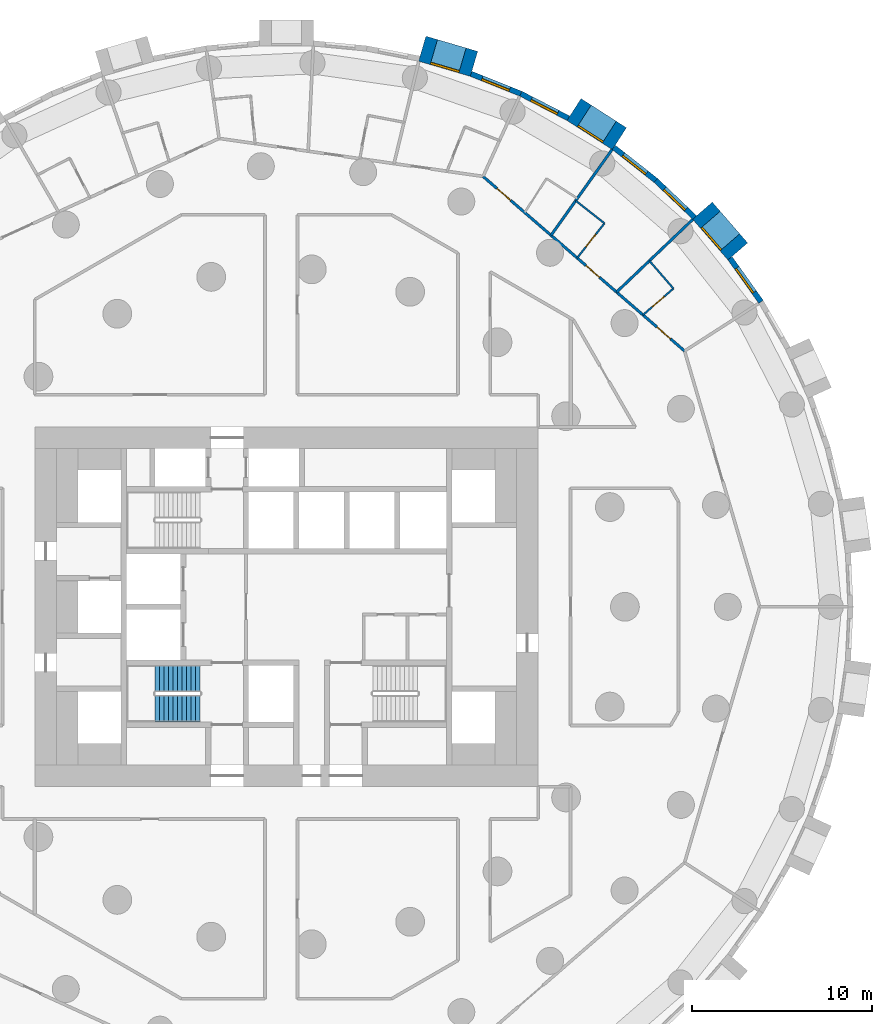
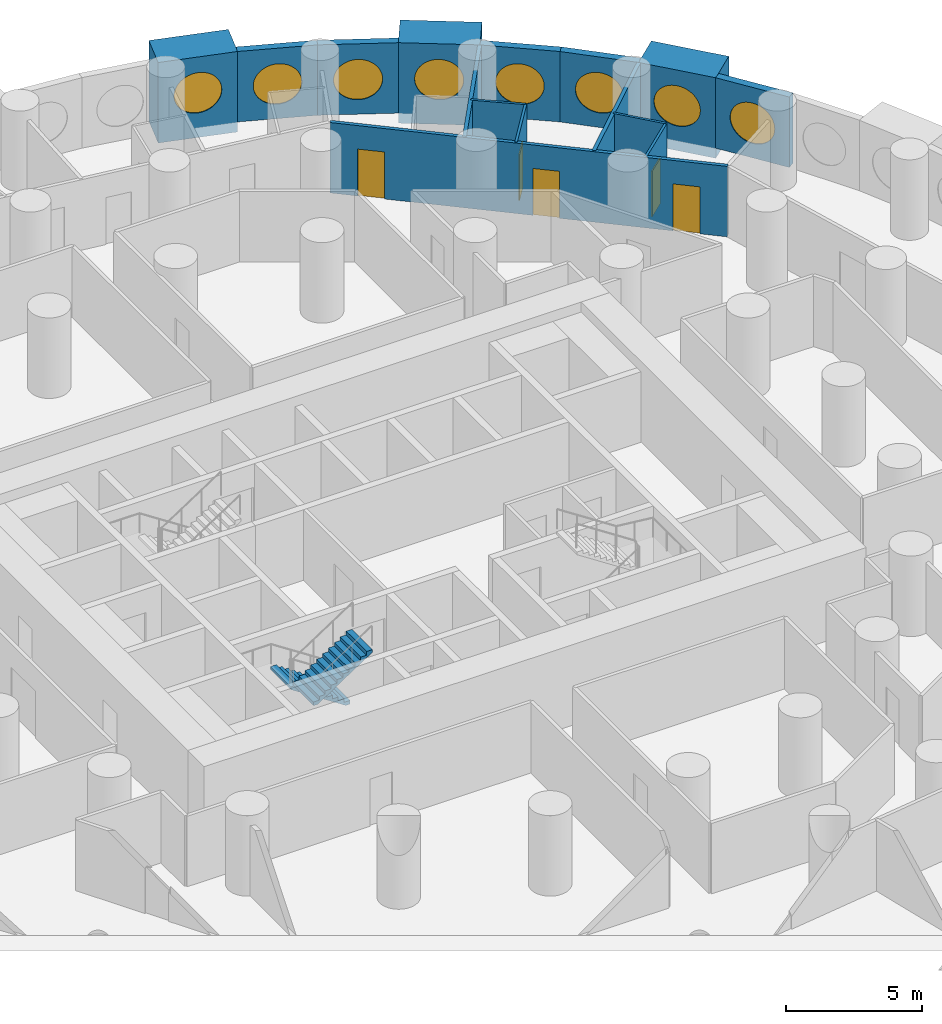
# One storey, part 10 of 12: 15 walls, 8 windows, 5 doors, 2 stair flights, 13 openings, 1 element without a shape of its own.
"""IFC4 building model written with IfcOpenShell, lengths in metres."""

from ifc_helpers import new_model, si_unit, direction, frame, frame_2d, origin, origin_2d, place, context, subcontext, project, spatial, polyline, rectangle, circle, outline, extrude, material, layer, layer_set, type_object, element, fill, aggregate, save


model = new_model("IFC4")

# Units and contexts
model_context = context("Model", 3, precision=1e-05, world=origin(), true_north=direction((0.0, 1.0)))
body_context = subcontext(model_context, "Body", "Model", "MODEL_VIEW")
ifc_project = project(units=[si_unit("LENGTHUNIT", "METRE"), si_unit("AREAUNIT", "SQUARE_METRE"), si_unit("VOLUMEUNIT", "CUBIC_METRE"), si_unit("PLANEANGLEUNIT", "RADIAN"), si_unit("MASSUNIT", "GRAM", prefix="KILO")], contexts=[model_context])

# Site, building, storey
site_placement = place(None, origin())
site = spatial("IfcSite", under=ifc_project, at=site_placement, CompositionType="ELEMENT")
building_placement = place(site_placement, origin())
building = spatial("IfcBuilding", under=site, at=building_placement, Name="Tracery Tower", CompositionType="ELEMENT")
storey_placement = place(building_placement, frame((0.0, 0.0, 53.39990234375)))
storey = spatial("IfcBuildingStorey", under=building, at=storey_placement, Name="L12", CompositionType="ELEMENT", Elevation=53.39990234375)

# Wall, opening, window
ifc_material_1 = material(Name="Precast concrete C50/60", Category="concrete")
ifc_layer_1 = layer(ifc_material_1, 1.449951171875)
ifc_layer_set_1 = layer_set([ifc_layer_1], Name="Deep-set bay unit 3000 x 3600, slab edge 450")
wall_type_1 = type_object("IfcWallType", Name="Deep-set bay unit 3000 x 3600, slab edge 450", PredefinedType="ELEMENTEDWALL", material=ifc_layer_set_1)
wall_1_placement = place(storey_placement, frame((25.101318359375, 19.765625, -0.449951171875), z_axis=(0.0, 0.0, 1.0), x_axis=(-0.654890259022, 0.75572398972, 0.0)))
wall_1 = element("IfcWall", 1, at=wall_1_placement, inside=storey, type_object=wall_type_1, Name="Deep-set bay unit 8 at L12", PredefinedType="ELEMENTEDWALL", context=body_context, shape_type="SweptSolid", body=[
    extrude(rectangle(XDim=3.0, YDim=1.449951171875, at=frame_2d((1.5, 0.0))), origin(), (0.0, 0.0, 1.0), 3.60009765625),
])
opening_1_placement = place(wall_1_placement, frame((1.5, 0.0, 2.0)))
opening_1 = element("IfcOpeningElement", 2, at=opening_1_placement, cuts=wall_1, Name="Opening WN1", PredefinedType="OPENING", context=body_context, shape_type="SweptSolid", body=[
    extrude(circle(Radius=0.9000244140625, at=origin_2d()), frame((0.0, 0.73486328125, 0.0), z_axis=(0.0, -1.0, 0.0), x_axis=(1.0, 0.0, 0.0)), (0.0, 0.0, 1.0), 1.469970703125),
])
ifc_material_2 = material(Name="Aluminium frame with tinted double glazing", Category="aluminium")
window_type = type_object("IfcWindowType", Name="Round window 1800", PartitioningType="SINGLE_PANEL", PredefinedType="WINDOW", material=ifc_material_2)
window_1_placement = place(opening_1_placement, origin())
window_1 = element("IfcWindow", 3, at=window_1_placement, inside=storey, type_object=window_type, Name="Round window 8 at L12", OverallHeight=1.800048828125, OverallWidth=1.800048828125, PartitioningType="SINGLE_PANEL", PredefinedType="WINDOW", context=body_context, shape_type="SweptSolid", body=[
    extrude(circle(Radius=0.9000244140625, at=origin_2d()), frame((0.0, 0.69482421875, 0.0), z_axis=(0.0, -1.0, 0.0), x_axis=(1.0, 0.0, 0.0)), (0.0, 0.0, 1.0), 0.10009765625),
])
fill(opening_1, window_1)

wall_2_placement = place(storey_placement, frame((18.515869140625, 26.03662109375, -0.449951171875), z_axis=(0.0, 0.0, 1.0), x_axis=(-0.841223422347, 0.540687667415, 0.0)))
wall_2 = element("IfcWall", 4, at=wall_2_placement, inside=storey, type_object=wall_type_1, Name="Deep-set bay unit 11 at L12", PredefinedType="ELEMENTEDWALL", context=body_context, shape_type="SweptSolid", body=[
    extrude(rectangle(XDim=3.0, YDim=1.449951171875, at=frame_2d((1.5, 0.0))), origin(), (0.0, 0.0, 1.0), 3.60009765625),
])
opening_2_placement = place(wall_2_placement, frame((1.5, 0.0, 2.0)))
opening_2 = element("IfcOpeningElement", 5, at=opening_2_placement, cuts=wall_2, Name="Opening WN1", PredefinedType="OPENING", context=body_context, shape_type="SweptSolid", body=[
    extrude(circle(Radius=0.9000244140625, at=origin_2d()), frame((0.0, 0.73486328125, 0.0), z_axis=(0.0, -1.0, 0.0), x_axis=(1.0, 0.0, 0.0)), (0.0, 0.0, 1.0), 1.469970703125),
])
window_2_placement = place(opening_2_placement, origin())
window_2 = element("IfcWindow", 6, at=window_2_placement, inside=storey, type_object=window_type, Name="Round window 11 at L12", OverallHeight=1.800048828125, OverallWidth=1.800048828125, PartitioningType="SINGLE_PANEL", PredefinedType="WINDOW", context=body_context, shape_type="SweptSolid", body=[
    extrude(circle(Radius=0.9000244140625, at=origin_2d()), frame((0.0, 0.69482421875, 0.0), z_axis=(0.0, -1.0, 0.0), x_axis=(1.0, 0.0, 0.0)), (0.0, 0.0, 1.0), 0.10009765625),
])
fill(opening_2, window_2)

wall_3_placement = place(storey_placement, frame((10.430419921875, 30.198486328125, -0.449951171875), z_axis=(0.0, 0.0, 1.0), x_axis=(-0.959489813418, 0.281743319258, 0.0)))
wall_3 = element("IfcWall", 7, at=wall_3_placement, inside=storey, type_object=wall_type_1, Name="Deep-set bay unit 14 at L12", PredefinedType="ELEMENTEDWALL", context=body_context, shape_type="SweptSolid", body=[
    extrude(rectangle(XDim=3.0, YDim=1.449951171875, at=frame_2d((1.5, 0.0))), origin(), (0.0, 0.0, 1.0), 3.60009765625),
])
opening_3_placement = place(wall_3_placement, frame((1.5, 0.0, 2.0)))
opening_3 = element("IfcOpeningElement", 8, at=opening_3_placement, cuts=wall_3, Name="Opening WN1", PredefinedType="OPENING", context=body_context, shape_type="SweptSolid", body=[
    extrude(circle(Radius=0.9000244140625, at=origin_2d()), frame((0.0, 0.73486328125, 0.0), z_axis=(0.0, -1.0, 0.0), x_axis=(1.0, 0.0, 0.0)), (0.0, 0.0, 1.0), 1.469970703125),
])
window_3_placement = place(opening_3_placement, origin())
window_3 = element("IfcWindow", 9, at=window_3_placement, inside=storey, type_object=window_type, Name="Round window 14 at L12", OverallHeight=1.800048828125, OverallWidth=1.800048828125, PartitioningType="SINGLE_PANEL", PredefinedType="WINDOW", context=body_context, shape_type="SweptSolid", body=[
    extrude(circle(Radius=0.9000244140625, at=origin_2d()), frame((0.0, 0.69482421875, 0.0), z_axis=(0.0, -1.0, 0.0), x_axis=(1.0, 0.0, 0.0)), (0.0, 0.0, 1.0), 0.10009765625),
])
fill(opening_3, window_3)

ifc_material_3 = material(Name="Precast concrete C50/60", Category="concrete")
ifc_layer_2 = layer(ifc_material_3, 0.300048828125)
ifc_layer_set_2 = layer_set([ifc_layer_2], Name="Facade panel 3000 x 3150")
wall_type_2 = type_object("IfcWallType", Name="Facade panel 3000 x 3150", PredefinedType="SOLIDWALL", material=ifc_layer_set_2)
wall_4_placement = place(storey_placement, frame((26.393798828125, 16.96240234375, 0.0), z_axis=(0.0, 0.0, 1.0), x_axis=(-0.580059407678, 0.81457417315, 0.0)))
wall_4 = element("IfcWall", 10, at=wall_4_placement, inside=storey, type_object=wall_type_2, Name="Facade panel 7 at L12", PredefinedType="SOLIDWALL", context=body_context, shape_type="SweptSolid", body=[
    extrude(rectangle(XDim=2.9794921875, YDim=0.300048828125, at=frame_2d((1.48974609375, 0.0))), origin(), (0.0, 0.0, 1.0), 3.150146484375),
])
opening_4_placement = place(wall_4_placement, frame((1.48974609375, 0.0, 1.5498046875)))
opening_4 = element("IfcOpeningElement", 11, at=opening_4_placement, cuts=wall_4, Name="Opening WN1", PredefinedType="OPENING", context=body_context, shape_type="SweptSolid", body=[
    extrude(circle(Radius=0.9000244140625, at=origin_2d()), frame((0.0, 0.159912109375, 0.0), z_axis=(0.0, -1.0, 0.0), x_axis=(1.0, 0.0, 0.0)), (0.0, 0.0, 1.0), 0.320068359375),
])
window_4_placement = place(opening_4_placement, origin())
window_4 = element("IfcWindow", 12, at=window_4_placement, inside=storey, type_object=window_type, Name="Round window 7 at L12", OverallHeight=1.800048828125, OverallWidth=1.800048828125, PartitioningType="SINGLE_PANEL", PredefinedType="WINDOW", context=body_context, shape_type="SweptSolid", body=[
    extrude(circle(Radius=0.9000244140625, at=origin_2d()), frame((0.0, 0.1201171875, 0.0), z_axis=(0.0, -1.0, 0.0), x_axis=(1.0, 0.0, 0.0)), (0.0, 0.0, 1.0), 0.10009765625),
])
fill(opening_4, window_4)

wall_5_placement = place(storey_placement, frame((22.702392578125, 21.655029296875, 0.0), z_axis=(0.0, 0.0, 1.0), x_axis=(-0.723744206617, 0.690068346896, 0.0)))
wall_5 = element("IfcWall", 13, at=wall_5_placement, inside=storey, type_object=wall_type_2, Name="Facade panel 9 at L12", PredefinedType="SOLIDWALL", context=body_context, shape_type="SweptSolid", body=[
    extrude(rectangle(XDim=2.979736328125, YDim=0.300048828125, at=frame_2d((1.48974609375, 0.0))), origin(), (0.0, 0.0, 1.0), 3.150146484375),
])
opening_5_placement = place(wall_5_placement, frame((1.48974609375, 0.0, 1.5498046875)))
opening_5 = element("IfcOpeningElement", 14, at=opening_5_placement, cuts=wall_5, Name="Opening WN1", PredefinedType="OPENING", context=body_context, shape_type="SweptSolid", body=[
    extrude(circle(Radius=0.9000244140625, at=origin_2d()), frame((0.0, 0.159912109375, 0.0), z_axis=(0.0, -1.0, 0.0), x_axis=(1.0, 0.0, 0.0)), (0.0, 0.0, 1.0), 0.320068359375),
])
window_5_placement = place(opening_5_placement, origin())
window_5 = element("IfcWindow", 15, at=window_5_placement, inside=storey, type_object=window_type, Name="Round window 9 at L12", OverallHeight=1.800048828125, OverallWidth=1.800048828125, PartitioningType="SINGLE_PANEL", PredefinedType="WINDOW", context=body_context, shape_type="SweptSolid", body=[
    extrude(circle(Radius=0.9000244140625, at=origin_2d()), frame((0.0, 0.1201171875, 0.0), z_axis=(0.0, -1.0, 0.0), x_axis=(1.0, 0.0, 0.0)), (0.0, 0.0, 1.0), 0.10009765625),
])
fill(opening_5, window_5)

wall_6_placement = place(storey_placement, frame((20.5458984375, 23.711181640625, 0.0), z_axis=(0.0, 0.0, 1.0), x_axis=(-0.786045331304, 0.618168858108, 0.0)))
wall_6 = element("IfcWall", 16, at=wall_6_placement, inside=storey, type_object=wall_type_2, Name="Facade panel 10 at L12", PredefinedType="SOLIDWALL", context=body_context, shape_type="SweptSolid", body=[
    extrude(rectangle(XDim=2.979736328125, YDim=0.300048828125, at=frame_2d((1.48974609375, 0.0))), origin(), (0.0, 0.0, 1.0), 3.150146484375),
])
opening_6_placement = place(wall_6_placement, frame((1.48974609375, 0.0, 1.5498046875)))
opening_6 = element("IfcOpeningElement", 17, at=opening_6_placement, cuts=wall_6, Name="Opening WN1", PredefinedType="OPENING", context=body_context, shape_type="SweptSolid", body=[
    extrude(circle(Radius=0.9000244140625, at=origin_2d()), frame((0.0, 0.159912109375, 0.0), z_axis=(0.0, -1.0, 0.0), x_axis=(1.0, 0.0, 0.0)), (0.0, 0.0, 1.0), 0.320068359375),
])
window_6_placement = place(opening_6_placement, origin())
window_6 = element("IfcWindow", 18, at=window_6_placement, inside=storey, type_object=window_type, Name="Round window 10 at L12", OverallHeight=1.800048828125, OverallWidth=1.800048828125, PartitioningType="SINGLE_PANEL", PredefinedType="WINDOW", context=body_context, shape_type="SweptSolid", body=[
    extrude(circle(Radius=0.9000244140625, at=origin_2d()), frame((0.0, 0.1201171875, 0.0), z_axis=(0.0, -1.0, 0.0), x_axis=(1.0, 0.0, 0.0)), (0.0, 0.0, 1.0), 0.10009765625),
])
fill(opening_6, window_6)

wall_7_placement = place(storey_placement, frame((15.681884765625, 27.173828125, 0.0), z_axis=(0.0, 0.0, 1.0), x_axis=(-0.888819853856, 0.458256770153, 0.0)))
wall_7 = element("IfcWall", 19, at=wall_7_placement, inside=storey, type_object=wall_type_2, Name="Facade panel 12 at L12", PredefinedType="SOLIDWALL", context=body_context, shape_type="SweptSolid", body=[
    extrude(rectangle(XDim=2.979736328125, YDim=0.300048828125, at=frame_2d((1.48974609375, 0.0))), origin(), (0.0, 0.0, 1.0), 3.150146484375),
])
opening_7_placement = place(wall_7_placement, frame((1.48974609375, 0.0, 1.5498046875)))
opening_7 = element("IfcOpeningElement", 20, at=opening_7_placement, cuts=wall_7, Name="Opening WN1", PredefinedType="OPENING", context=body_context, shape_type="SweptSolid", body=[
    extrude(circle(Radius=0.9000244140625, at=origin_2d()), frame((0.0, 0.159912109375, 0.0), z_axis=(0.0, -1.0, 0.0), x_axis=(1.0, 0.0, 0.0)), (0.0, 0.0, 1.0), 0.320068359375),
])
window_7_placement = place(opening_7_placement, origin())
window_7 = element("IfcWindow", 21, at=window_7_placement, inside=storey, type_object=window_type, Name="Round window 12 at L12", OverallHeight=1.800048828125, OverallWidth=1.800048828125, PartitioningType="SINGLE_PANEL", PredefinedType="WINDOW", context=body_context, shape_type="SweptSolid", body=[
    extrude(circle(Radius=0.9000244140625, at=origin_2d()), frame((0.0, 0.1201171875, 0.0), z_axis=(0.0, -1.0, 0.0), x_axis=(1.0, 0.0, 0.0)), (0.0, 0.0, 1.0), 0.10009765625),
])
fill(opening_7, window_7)

wall_8_placement = place(storey_placement, frame((13.033447265625, 28.539306640625, 0.0), z_axis=(0.0, 0.0, 1.0), x_axis=(-0.928403213937, 0.371574316054, 0.0)))
wall_8 = element("IfcWall", 22, at=wall_8_placement, inside=storey, type_object=wall_type_2, Name="Facade panel 13 at L12", PredefinedType="SOLIDWALL", context=body_context, shape_type="SweptSolid", body=[
    extrude(rectangle(XDim=2.979736328125, YDim=0.300048828125, at=frame_2d((1.48974609375, 0.0))), origin(), (0.0, 0.0, 1.0), 3.150146484375),
])
opening_8_placement = place(wall_8_placement, frame((1.48974609375, 0.0, 1.5498046875)))
opening_8 = element("IfcOpeningElement", 23, at=opening_8_placement, cuts=wall_8, Name="Opening WN1", PredefinedType="OPENING", context=body_context, shape_type="SweptSolid", body=[
    extrude(circle(Radius=0.9000244140625, at=origin_2d()), frame((0.0, 0.159912109375, 0.0), z_axis=(0.0, -1.0, 0.0), x_axis=(1.0, 0.0, 0.0)), (0.0, 0.0, 1.0), 0.320068359375),
])
window_8_placement = place(opening_8_placement, origin())
window_8 = element("IfcWindow", 24, at=window_8_placement, inside=storey, type_object=window_type, Name="Round window 13 at L12", OverallHeight=1.800048828125, OverallWidth=1.800048828125, PartitioningType="SINGLE_PANEL", PredefinedType="WINDOW", context=body_context, shape_type="SweptSolid", body=[
    extrude(circle(Radius=0.9000244140625, at=origin_2d()), frame((0.0, 0.1201171875, 0.0), z_axis=(0.0, -1.0, 0.0), x_axis=(1.0, 0.0, 0.0)), (0.0, 0.0, 1.0), 0.10009765625),
])
fill(opening_8, window_8)

# Wall, opening, door
ifc_material_4 = material(Name="Plasterboard on steel studs", Category="steel")
ifc_layer_3 = layer(ifc_material_4, 0.10009765625)
ifc_layer_set_3 = layer_set([ifc_layer_3], Name="Partition 100 wet wall")
wall_type_3 = type_object("IfcWallType", Name="Partition 100 wet wall", PredefinedType="PARTITIONING", material=ifc_layer_set_3)
wall_9_placement = place(storey_placement, frame((19.825927734375, 16.23388671875, 0.0), z_axis=(0.0, 0.0, 1.0), x_axis=(0.755703447798, 0.654913963042, 0.0)))
wall_9 = element("IfcWall", 25, at=wall_9_placement, inside=storey, type_object=wall_type_3, Name="Wet wall RA3-062", PredefinedType="PARTITIONING", context=body_context, shape_type="SweptSolid", body=[
    extrude(rectangle(XDim=2.242919921875, YDim=0.10009765625, at=frame_2d((1.12158203125, 0.0))), origin(), (0.0, 0.0, 1.0), 3.150146484375),
])
opening_9_placement = place(wall_9_placement, frame((0.6708984375, 0.0, 0.0)))
opening_9 = element("IfcOpeningElement", 26, at=opening_9_placement, cuts=wall_9, Name="Opening RA3-12", PredefinedType="OPENING", context=body_context, shape_type="SweptSolid", body=[
    extrude(rectangle(XDim=0.89990234375, YDim=2.0400390625, at=frame_2d((0.449951171875, 1.02001953125))), frame((0.0, 0.050048828125, 0.0), z_axis=(0.0, -1.0, 0.0), x_axis=(1.0, 0.0, 0.0)), (0.0, 0.0, 1.0), 0.10009765625),
])
ifc_material_5 = material(Name="Timber door leaf", Category="wood")
door_type_1 = type_object("IfcDoorType", Name="Door en-suite 900", OperationType="NOTDEFINED", PredefinedType="DOOR", material=ifc_material_5)
door_1_placement = place(opening_9_placement, origin())
door_1 = element("IfcDoor", 27, at=door_1_placement, inside=storey, type_object=door_type_1, Name="En-suite door RA3-12", OperationType="SINGLE_SWING_LEFT", OverallHeight=2.0400390625, OverallWidth=0.89990234375, PredefinedType="DOOR", context=body_context, shape_type="SweptSolid", body=[
    extrude(rectangle(XDim=0.89990234375, YDim=2.0400390625, at=frame_2d((0.449951171875, 1.02001953125))), frame((0.0, 0.02490234375, 0.0), z_axis=(0.0, -1.0, 0.0), x_axis=(1.0, 0.0, 0.0)), (0.0, 0.0, 1.0), 0.050048828125),
])
fill(opening_9, door_1)

# Wall
wall_10_placement = place(storey_placement, frame((20.18408203125, 19.2451171875, 0.0), z_axis=(0.0, 0.0, 1.0), x_axis=(0.655017058368, -0.755614090159, 0.0)))
element("IfcWall", 28, at=wall_10_placement, inside=storey, type_object=wall_type_3, Name="Wet wall RA3-063", PredefinedType="PARTITIONING", context=body_context, shape_type="SweptSolid", body=[
    extrude(rectangle(XDim=2.041015625, YDim=0.10009765625, at=frame_2d((1.0205078125, 0.0))), origin(), (0.0, 0.0, 1.0), 3.150146484375),
])

# Wall, opening, door
wall_11_placement = place(storey_placement, frame((16.16796875, 19.404052734375, 0.0), z_axis=(0.0, 0.0, 1.0), x_axis=(0.618142414415, 0.786066126672, 0.0)))
wall_11 = element("IfcWall", 29, at=wall_11_placement, inside=storey, type_object=wall_type_3, Name="Wet wall RA3-065", PredefinedType="PARTITIONING", context=body_context, shape_type="SweptSolid", body=[
    extrude(rectangle(XDim=2.45263671875, YDim=0.10009765625, at=frame_2d((1.226318359375, 0.0))), origin(), (0.0, 0.0, 1.0), 3.150146484375),
])
opening_10_placement = place(wall_11_placement, frame((0.77587890625, 0.0, 0.0)))
opening_10 = element("IfcOpeningElement", 30, at=opening_10_placement, cuts=wall_11, Name="Opening RA3-14", PredefinedType="OPENING", context=body_context, shape_type="SweptSolid", body=[
    extrude(rectangle(XDim=0.89990234375, YDim=2.0400390625, at=frame_2d((0.449951171875, 1.02001953125))), frame((0.0, 0.050048828125, 0.0), z_axis=(0.0, -1.0, 0.0), x_axis=(1.0, 0.0, 0.0)), (0.0, 0.0, 1.0), 0.10009765625),
])
door_2_placement = place(opening_10_placement, origin())
door_2 = element("IfcDoor", 31, at=door_2_placement, inside=storey, type_object=door_type_1, Name="En-suite door RA3-14", OperationType="SINGLE_SWING_LEFT", OverallHeight=2.0400390625, OverallWidth=0.89990234375, PredefinedType="DOOR", context=body_context, shape_type="SweptSolid", body=[
    extrude(rectangle(XDim=0.89990234375, YDim=2.0400390625, at=frame_2d((0.449951171875, 1.02001953125))), frame((0.0, 0.02490234375, 0.0), z_axis=(0.0, -1.0, 0.0), x_axis=(1.0, 0.0, 0.0)), (0.0, 0.0, 1.0), 0.050048828125),
])
fill(opening_10, door_2)

# Walls
wall_12_placement = place(storey_placement, frame((16.0859375, 22.589111328125, 0.0), z_axis=(0.0, 0.0, 1.0), x_axis=(0.785984904201, -0.618245687707, 0.0)))
element("IfcWall", 32, at=wall_12_placement, inside=storey, type_object=wall_type_3, Name="Wet wall RA3-066", PredefinedType="PARTITIONING", context=body_context, shape_type="SweptSolid", body=[
    extrude(rectangle(XDim=2.033203125, YDim=0.10009765625, at=frame_2d((1.0166015625, 0.0))), origin(), (0.0, 0.0, 1.0), 3.150146484375),
])
ifc_material_6 = material(Name="Plasterboard on steel studs", Category="steel")
ifc_layer_4 = layer(ifc_material_6, 0.14990234375)
ifc_layer_set_4 = layer_set([ifc_layer_4], Name="Partition 150 acoustic unit wall")
wall_type_4 = type_object("IfcWallType", Name="Partition 150 acoustic unit wall", PredefinedType="PARTITIONING", material=ifc_layer_set_4)
wall_13_placement = place(storey_placement, frame((18.360107421875, 17.5048828125, 0.0), z_axis=(0.0, 0.0, 1.0), x_axis=(0.723605349213, 0.690213951315, 0.0)))
element("IfcWall", 33, at=wall_13_placement, inside=storey, type_object=wall_type_4, Name="Unit wall RA3-064", PredefinedType="PARTITIONING", context=body_context, shape_type="SweptSolid", body=[
    extrude(rectangle(XDim=5.8564453125, YDim=0.14990234375, at=frame_2d((2.92822265625, 0.0))), origin(), (0.0, 0.0, 1.0), 3.150146484375),
])
wall_14_placement = place(storey_placement, frame((14.71533203125, 20.663818359375, 0.0), z_axis=(0.0, 0.0, 1.0), x_axis=(0.57995989616, 0.814645026282, 0.0)))
element("IfcWall", 34, at=wall_14_placement, inside=storey, type_object=wall_type_4, Name="Unit wall RA3-067", PredefinedType="PARTITIONING", context=body_context, shape_type="SweptSolid", body=[
    extrude(rectangle(XDim=5.85693359375, YDim=0.14990234375, at=frame_2d((2.928466796875, 0.0))), origin(), (0.0, 0.0, 1.0), 3.150146484375),
])

# Wall, openings, doors
ifc_material_7 = material(Name="Plasterboard on steel studs", Category="steel")
ifc_layer_5 = layer(ifc_material_7, 0.14990234375)
ifc_layer_set_5 = layer_set([ifc_layer_5], Name="Partition 150 corridor wall")
wall_type_5 = type_object("IfcWallType", Name="Partition 150 corridor wall", PredefinedType="PARTITIONING", material=ifc_layer_set_5)
wall_15_placement = place(storey_placement, frame((10.93212890625, 23.93896484375, 0.0), z_axis=(0.0, 0.0, 1.0), x_axis=(0.755838982892, -0.654757536757, 0.0)))
wall_15 = element("IfcWall", 35, at=wall_15_placement, inside=storey, type_object=wall_type_5, Name="Corridor wall RA3-022", PredefinedType="PARTITIONING", context=body_context, shape_type="SweptSolid", body=[
    extrude(rectangle(XDim=14.829833984375, YDim=0.14990234375, at=frame_2d((7.4150390625, 0.0))), origin(), (0.0, 0.0, 1.0), 3.150146484375),
])
opening_11_placement = place(wall_15_placement, frame((12.7958984375, 0.0, 0.0)))
opening_11 = element("IfcOpeningElement", 36, at=opening_11_placement, cuts=wall_15, Name="Opening RA3-13", PredefinedType="OPENING", context=body_context, shape_type="SweptSolid", body=[
    extrude(rectangle(XDim=1.0, YDim=2.10009765625, at=frame_2d((0.5, 1.050048828125))), frame((0.0, 0.074951171875, 0.0), z_axis=(0.0, -1.0, 0.0), x_axis=(1.0, 0.0, 0.0)), (0.0, 0.0, 1.0), 0.14990234375),
])
opening_12_placement = place(wall_15_placement, frame((7.571533203125, 0.0, 0.0)))
opening_12 = element("IfcOpeningElement", 37, at=opening_12_placement, cuts=wall_15, Name="Opening RA3-15", PredefinedType="OPENING", context=body_context, shape_type="SweptSolid", body=[
    extrude(rectangle(XDim=1.0, YDim=2.10009765625, at=frame_2d((0.5, 1.050048828125))), frame((0.0, 0.074951171875, 0.0), z_axis=(0.0, -1.0, 0.0), x_axis=(1.0, 0.0, 0.0)), (0.0, 0.0, 1.0), 0.14990234375),
])
opening_13_placement = place(wall_15_placement, frame((1.032958984375, 0.0, 0.0)))
opening_13 = element("IfcOpeningElement", 38, at=opening_13_placement, cuts=wall_15, Name="Opening RA3-17", PredefinedType="OPENING", context=body_context, shape_type="SweptSolid", body=[
    extrude(rectangle(XDim=1.0, YDim=2.10009765625, at=frame_2d((0.5, 1.050048828125))), frame((0.0, 0.074951171875, 0.0), z_axis=(0.0, -1.0, 0.0), x_axis=(1.0, 0.0, 0.0)), (0.0, 0.0, 1.0), 0.14990234375),
])
ifc_material_8 = material(Name="Timber door leaf", Category="wood")
door_type_2 = type_object("IfcDoorType", Name="Door unit entrance 1000", OperationType="NOTDEFINED", PredefinedType="DOOR", material=ifc_material_8)
door_3_placement = place(opening_11_placement, origin())
door_3 = element("IfcDoor", 39, at=door_3_placement, inside=storey, type_object=door_type_2, Name="Unit entrance door RA3-13", OperationType="SINGLE_SWING_LEFT", OverallHeight=2.10009765625, OverallWidth=1.0, PredefinedType="DOOR", context=body_context, shape_type="SweptSolid", body=[
    extrude(rectangle(XDim=1.0, YDim=2.10009765625, at=frame_2d((0.5, 1.050048828125))), frame((0.0, 0.02490234375, 0.0), z_axis=(0.0, -1.0, 0.0), x_axis=(1.0, 0.0, 0.0)), (0.0, 0.0, 1.0), 0.050048828125),
])
fill(opening_11, door_3)
door_4_placement = place(opening_12_placement, origin())
door_4 = element("IfcDoor", 40, at=door_4_placement, inside=storey, type_object=door_type_2, Name="Unit entrance door RA3-15", OperationType="SINGLE_SWING_LEFT", OverallHeight=2.10009765625, OverallWidth=1.0, PredefinedType="DOOR", context=body_context, shape_type="SweptSolid", body=[
    extrude(rectangle(XDim=1.0, YDim=2.10009765625, at=frame_2d((0.5, 1.050048828125))), frame((0.0, 0.02490234375, 0.0), z_axis=(0.0, -1.0, 0.0), x_axis=(1.0, 0.0, 0.0)), (0.0, 0.0, 1.0), 0.050048828125),
])
fill(opening_12, door_4)
door_5_placement = place(opening_13_placement, origin())
door_5 = element("IfcDoor", 41, at=door_5_placement, inside=storey, type_object=door_type_2, Name="Unit entrance door RA3-17", OperationType="SINGLE_SWING_LEFT", OverallHeight=2.10009765625, OverallWidth=1.0, PredefinedType="DOOR", context=body_context, shape_type="SweptSolid", body=[
    extrude(rectangle(XDim=1.0, YDim=2.10009765625, at=frame_2d((0.5, 1.050048828125))), frame((0.0, 0.02490234375, 0.0), z_axis=(0.0, -1.0, 0.0), x_axis=(1.0, 0.0, 0.0)), (0.0, 0.0, 1.0), 0.050048828125),
])
fill(opening_13, door_5)

# Stair, stair flights
ifc_material_9 = material(Name="Concrete C32/40", Category="concrete")
stair_type = type_object("IfcStairType", Name="Core stair 22 risers", PredefinedType="HALF_TURN_STAIR", material=ifc_material_9)
stair_placement = place(storey_placement, origin())
stair = element("IfcStair", 42, at=stair_placement, inside=storey, type_object=stair_type, Name="L12 stair ST1", PredefinedType="HALF_TURN_STAIR")
ifc_material_10 = material(Name="Concrete C32/40", Category="concrete")
stair_flight_type = type_object("IfcStairFlightType", Name="Core stair flight 11 risers", PredefinedType="STRAIGHT", material=ifc_material_10)
stair_flight_1_placement = place(storey_placement, frame((-4.800048828125, -4.0, 0.0), z_axis=(0.0, 0.0, 1.0), x_axis=(-1.0, 0.0, 0.0)))
stair_flight_1 = element("IfcStairFlight", 43, at=stair_flight_1_placement, type_object=stair_flight_type, Name="ST1 flight 1", NumberOfRisers=11, NumberOfTreads=10, PredefinedType="STRAIGHT", RiserHeight=0.163636364, TreadLength=0.25, context=body_context, shape_type="SweptSolid", body=[
    extrude(outline(polyline([(0.0, 0.0), (0.0, 0.002685546875), (0.0, 0.00537109375), (0.0, 0.008056640625), (0.0, 0.0107421875), (0.0, 0.013427734375), (0.0, 0.01611328125), (0.0, 0.018798828125), (0.0, 0.021484375), (0.0, 0.024169921875), (0.0, 0.02685546875), (0.0, 0.029541015625), (0.0, 0.0322265625), (0.0, 0.034912109375), (0.0, 0.03759765625), (0.0, 0.040283203125), (0.0, 0.04296875), (0.0, 0.045654296875), (0.0, 0.04833984375), (0.0, 0.051025390625), (0.0, 0.0537109375), (0.0, 0.056396484375), (0.0, 0.05908203125), (0.0, 0.061767578125), (0.0, 0.064453125), (0.0, 0.067138671875), (0.0, 0.06982421875), (0.0, 0.072509765625), (0.0, 0.0751953125), (0.0, 0.077880859375), (0.0, 0.08056640625), (0.0, 0.083251953125), (0.0, 0.0859375), (0.0, 0.088623046875), (0.0, 0.09130859375), (0.0, 0.093994140625), (0.0, 0.0966796875), (0.0, 0.099365234375), (0.0, 0.10205078125), (0.0, 0.104736328125), (0.0, 0.107421875), (0.0, 0.10986328125), (0.0, 0.112548828125), (0.0, 0.115234375), (0.0, 0.117919921875), (0.0, 0.12060546875), (0.0, 0.123291015625), (0.0, 0.1259765625), (0.0, 0.128662109375), (0.0, 0.13134765625), (0.0, 0.134033203125), (0.0, 0.13671875), (0.0, 0.139404296875), (0.0, 0.14208984375), (0.0, 0.144775390625), (0.0, 0.1474609375), (0.0, 0.150146484375), (0.0, 0.15283203125), (0.0, 0.155517578125), (0.0, 0.158203125), (0.0, 0.160888671875), (0.0, 0.16357421875), (0.25, 0.16357421875), (0.25, 0.327392578125), (0.5, 0.327392578125), (0.5, 0.490966796875), (0.75, 0.490966796875), (0.75, 0.654541015625), (1.0, 0.654541015625), (1.0, 0.818115234375), (1.25, 0.818115234375), (1.25, 0.98193359375), (1.5, 0.98193359375), (1.5, 1.1455078125), (1.75, 1.1455078125), (1.75, 1.30908203125), (2.0, 1.30908203125), (2.0, 1.47265625), (2.25, 1.47265625), (2.25, 1.636474609375), (2.5, 1.636474609375), (2.5, 1.634521484375), (2.5, 1.63232421875), (2.5, 1.63037109375), (2.5, 1.62841796875), (2.5, 1.62646484375), (2.5, 1.62451171875), (2.5, 1.62255859375), (2.5, 1.62060546875), (2.5, 1.61865234375), (2.5, 1.61669921875), (2.5, 1.61474609375), (2.5, 1.61279296875), (2.5, 1.61083984375), (2.5, 1.60888671875), (2.5, 1.60693359375), (2.5, 1.60498046875), (2.5, 1.60302734375), (2.5, 1.60107421875), (2.5, 1.59912109375), (2.5, 1.59716796875), (2.5, 1.59521484375), (2.5, 1.59326171875), (2.5, 1.59130859375), (2.5, 1.58935546875), (2.5, 1.58740234375), (2.5, 1.58544921875), (2.5, 1.58349609375), (2.5, 1.58154296875), (2.5, 1.57958984375), (2.5, 1.57763671875), (2.5, 1.57568359375), (2.5, 1.573486328125), (2.5, 1.571533203125), (2.5, 1.569580078125), (2.5, 1.567626953125), (2.5, 1.565673828125), (2.5, 1.563720703125), (2.5, 1.561767578125), (2.5, 1.559814453125), (2.5, 1.557861328125), (2.5, 1.555908203125), (2.5, 1.553955078125), (2.5, 1.552001953125), (2.5, 1.550048828125), (2.5, 1.548095703125), (2.5, 1.546142578125), (2.5, 1.544189453125), (2.5, 1.542236328125), (2.5, 1.540283203125), (2.5, 1.538330078125), (2.5, 1.536376953125), (2.5, 1.534423828125), (2.5, 1.532470703125), (2.5, 1.530517578125), (2.5, 1.528564453125), (2.5, 1.526611328125), (2.5, 1.524658203125), (2.5, 1.522705078125), (2.5, 1.520751953125), (2.5, 1.518798828125), (2.5, 1.516845703125), (0.182861328125, 0.0), (0.0, 0.0)])), frame((0.0, 0.75, 0.0), z_axis=(0.0, -1.0, 0.0), x_axis=(1.0, 0.0, 0.0)), (0.0, 0.0, 1.0), 1.5),
])
stair_flight_2_placement = place(storey_placement, frame((-7.300048828125, -5.64990234375, 1.800048828125), z_axis=(0.0, 0.0, 1.0), x_axis=(1.0, 0.0, 0.0)))
stair_flight_2 = element("IfcStairFlight", 44, at=stair_flight_2_placement, type_object=stair_flight_type, Name="ST1 flight 2", NumberOfRisers=11, NumberOfTreads=10, PredefinedType="STRAIGHT", RiserHeight=0.163636364, TreadLength=0.25, context=body_context, shape_type="SweptSolid", body=[
    extrude(outline(polyline([(0.0, 0.0), (0.0, 0.002685546875), (0.0, 0.00537109375), (0.0, 0.008056640625), (0.0, 0.0107421875), (0.0, 0.013427734375), (0.0, 0.01611328125), (0.0, 0.018798828125), (0.0, 0.021484375), (0.0, 0.024169921875), (0.0, 0.02685546875), (0.0, 0.029541015625), (0.0, 0.0322265625), (0.0, 0.034912109375), (0.0, 0.03759765625), (0.0, 0.040283203125), (0.0, 0.04296875), (0.0, 0.045654296875), (0.0, 0.04833984375), (0.0, 0.051025390625), (0.0, 0.0537109375), (0.0, 0.056396484375), (0.0, 0.05908203125), (0.0, 0.061767578125), (0.0, 0.064453125), (0.0, 0.067138671875), (0.0, 0.06982421875), (0.0, 0.072509765625), (0.0, 0.0751953125), (0.0, 0.077880859375), (0.0, 0.08056640625), (0.0, 0.083251953125), (0.0, 0.0859375), (0.0, 0.088623046875), (0.0, 0.09130859375), (0.0, 0.093994140625), (0.0, 0.0966796875), (0.0, 0.099365234375), (0.0, 0.10205078125), (0.0, 0.104736328125), (0.0, 0.107421875), (0.0, 0.10986328125), (0.0, 0.112548828125), (0.0, 0.115234375), (0.0, 0.117919921875), (0.0, 0.12060546875), (0.0, 0.123291015625), (0.0, 0.1259765625), (0.0, 0.128662109375), (0.0, 0.13134765625), (0.0, 0.134033203125), (0.0, 0.13671875), (0.0, 0.139404296875), (0.0, 0.14208984375), (0.0, 0.144775390625), (0.0, 0.1474609375), (0.0, 0.150146484375), (0.0, 0.15283203125), (0.0, 0.155517578125), (0.0, 0.158203125), (0.0, 0.160888671875), (0.0, 0.16357421875), (0.25, 0.16357421875), (0.25, 0.327392578125), (0.5, 0.327392578125), (0.5, 0.490966796875), (0.75, 0.490966796875), (0.75, 0.654541015625), (1.0, 0.654541015625), (1.0, 0.818115234375), (1.25, 0.818115234375), (1.25, 0.98193359375), (1.5, 0.98193359375), (1.5, 1.1455078125), (1.75, 1.1455078125), (1.75, 1.30908203125), (2.0, 1.30908203125), (2.0, 1.47265625), (2.25, 1.47265625), (2.25, 1.636474609375), (2.5, 1.636474609375), (2.5, 1.634521484375), (2.5, 1.63232421875), (2.5, 1.63037109375), (2.5, 1.62841796875), (2.5, 1.62646484375), (2.5, 1.62451171875), (2.5, 1.62255859375), (2.5, 1.62060546875), (2.5, 1.61865234375), (2.5, 1.61669921875), (2.5, 1.61474609375), (2.5, 1.61279296875), (2.5, 1.61083984375), (2.5, 1.60888671875), (2.5, 1.60693359375), (2.5, 1.60498046875), (2.5, 1.60302734375), (2.5, 1.60107421875), (2.5, 1.59912109375), (2.5, 1.59716796875), (2.5, 1.59521484375), (2.5, 1.59326171875), (2.5, 1.59130859375), (2.5, 1.58935546875), (2.5, 1.58740234375), (2.5, 1.58544921875), (2.5, 1.58349609375), (2.5, 1.58154296875), (2.5, 1.57958984375), (2.5, 1.57763671875), (2.5, 1.57568359375), (2.5, 1.573486328125), (2.5, 1.571533203125), (2.5, 1.569580078125), (2.5, 1.567626953125), (2.5, 1.565673828125), (2.5, 1.563720703125), (2.5, 1.561767578125), (2.5, 1.559814453125), (2.5, 1.557861328125), (2.5, 1.555908203125), (2.5, 1.553955078125), (2.5, 1.552001953125), (2.5, 1.550048828125), (2.5, 1.548095703125), (2.5, 1.546142578125), (2.5, 1.544189453125), (2.5, 1.542236328125), (2.5, 1.540283203125), (2.5, 1.538330078125), (2.5, 1.536376953125), (2.5, 1.534423828125), (2.5, 1.532470703125), (2.5, 1.530517578125), (2.5, 1.528564453125), (2.5, 1.526611328125), (2.5, 1.524658203125), (2.5, 1.522705078125), (2.5, 1.520751953125), (2.5, 1.518798828125), (2.5, 1.516845703125), (0.182861328125, 0.0), (0.0, 0.0)])), frame((0.0, 0.75, 0.0), z_axis=(0.0, -1.0, 0.0), x_axis=(1.0, 0.0, 0.0)), (0.0, 0.0, 1.0), 1.5),
])
aggregate(stair, [stair_flight_1, stair_flight_2])

save(model, "model.ifc")
